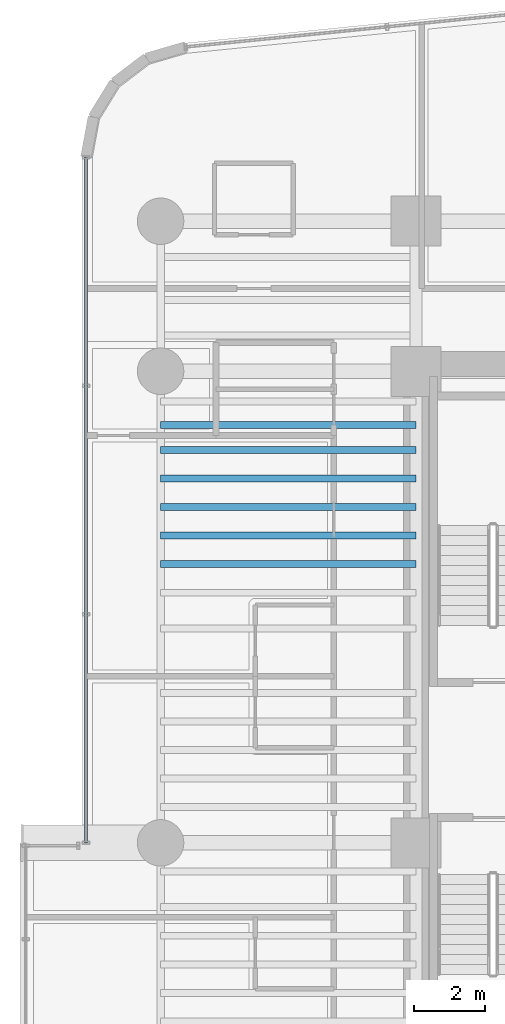
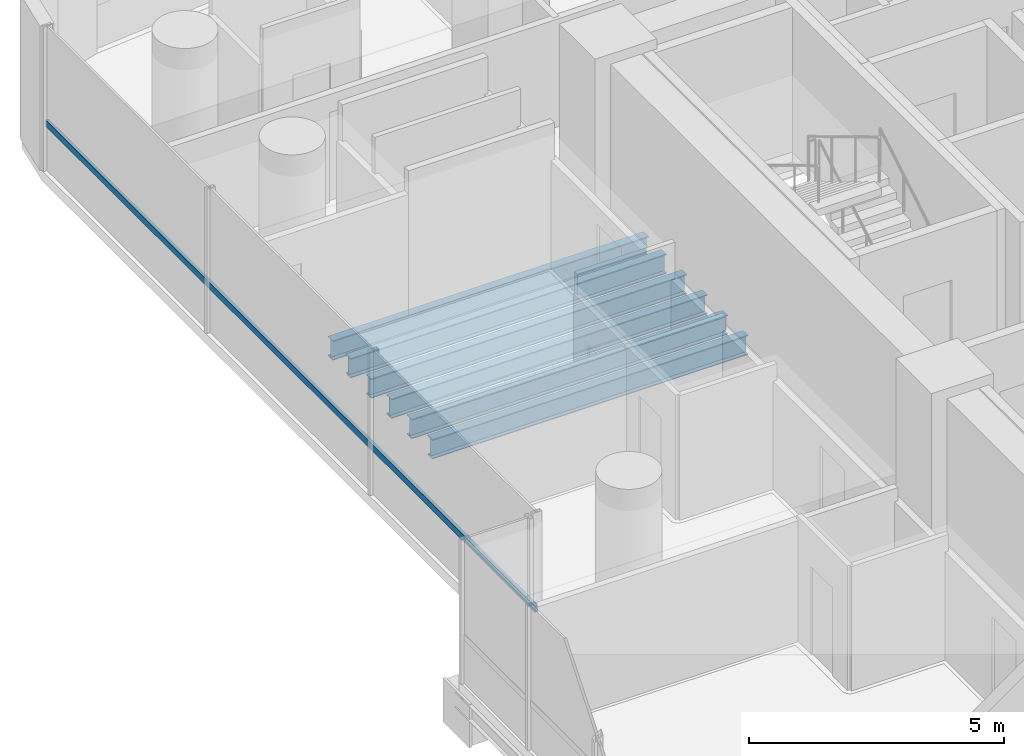
# One storey, part 9 of 42: 6 beams, 1 member, 1 element without a shape of its own.
"""IFC4 building model written with IfcOpenShell, lengths in metres."""

from ifc_helpers import new_model, si_unit, direction, frame, origin, origin_2d, place, context, subcontext, project, spatial, hollow_rectangle, i_section, extrude, source, transform, mapped, material, material_profile, profile_set, type_object, element, aggregate, save


model = new_model("IFC4")

# Units and contexts
model_context = context("Model", 3, precision=1e-05, world=origin(), true_north=direction((0.0, 1.0)))
body_context = subcontext(model_context, "Body", "Model", "MODEL_VIEW")
ifc_project = project(units=[si_unit("LENGTHUNIT", "METRE"), si_unit("AREAUNIT", "SQUARE_METRE"), si_unit("VOLUMEUNIT", "CUBIC_METRE"), si_unit("PLANEANGLEUNIT", "RADIAN"), si_unit("MASSUNIT", "GRAM", prefix="KILO")], contexts=[model_context])

# Site, building, storey
site_placement = place(None, origin())
site = spatial("IfcSite", under=ifc_project, at=site_placement, CompositionType="ELEMENT")
building_placement = place(site_placement, origin())
building = spatial("IfcBuilding", under=site, at=building_placement, Name="Valdorenza Pilgrim Sanctuary Tower", CompositionType="ELEMENT")
storey_placement = place(building_placement, frame((0.0, 0.0, 29.699951171875)))
storey = spatial("IfcBuildingStorey", under=building, at=storey_placement, Name="L06", CompositionType="ELEMENT", Elevation=29.699951171875)

# Beams
ifc_material_1 = material(Name="Steel ASTM A992 Grade 50", Category="steel")
ifc_material_profile_1 = material_profile(ifc_material_1, i_section(OverallWidth=0.193115234375, OverallDepth=0.466064453125, WebThickness=0.011474609375, FlangeThickness=0.01904296875, at=origin_2d()), Name="W18X65")
ifc_profile_set_1 = profile_set([ifc_material_profile_1], Name="Steel ASTM A992 Grade 50")
beam_type = type_object("IfcBeamType", Name="STR-BM-JST-W18A", PredefinedType="JOIST", material=ifc_profile_set_1)
shared_shape_1 = source(origin(), body_context, "Body", "SweptSolid", [
    extrude(i_section(OverallWidth=0.193115234375, OverallDepth=0.466064453125, WebThickness=0.011474609375, FlangeThickness=0.01904296875, at=origin_2d()), origin(), (0.0, 0.0, 1.0), 7.150146484375),
])
for number, where, z_axis, x_axis, name in (
    (1, (-29.800048828125, 5.199951171875, -0.472900390625), (1.0, 0.0, 0.0), (0.0, 1.0, 0.0), "L06 Composite Floor Joist JST-WA-17"),
    (2, (-29.800048828125, 6.0, -0.472900390625), (1.0, 0.0, 0.0), (0.0, 1.0, 0.0), "L06 Composite Floor Joist JST-WA-18"),
    (3, (-29.800048828125, 6.800048828125, -0.472900390625), (1.0, 0.0, 0.0), (0.0, 1.0, 0.0), "L06 Composite Floor Joist JST-WA-19"),
    (4, (-29.800048828125, 7.60009765625, -0.472900390625), (1.0, 0.0, 0.0), (0.0, 1.0, 0.0), "L06 Composite Floor Joist JST-WA-20"),
    (5, (-29.800048828125, 8.39990234375, -0.472900390625), (1.0, 0.0, 0.0), (0.0, 1.0, 0.0), "L06 Composite Floor Joist JST-WA-21"),
    (6, (-29.800048828125, 9.10009765625, -0.472900390625), (1.0, 0.0, 0.0), (0.0, 1.0, 0.0), "L06 Composite Floor Joist JST-WA-22"),
):
    element("IfcBeam", number, at=place(storey_placement, frame(where, z_axis=z_axis, x_axis=x_axis)), inside=storey, type_object=beam_type, Name=name, PredefinedType="JOIST", context=body_context, shape_type="MappedRepresentation", body=[
        mapped(shared_shape_1, transform((0.0, 0.0, 0.0), x_axis=(1.0, 0.0, 0.0), y_axis=(0.0, 1.0, 0.0), z_axis=(0.0, 0.0, 1.0), scale=1.0)),
    ])

# Curtain wall, member
ifc_material_2 = material(Name="Curtain-wall IGU glazing", Category="glass")
curtain_wall_type = type_object("IfcCurtainWallType", Name="CW-SYS-02", PredefinedType="NOTDEFINED", material=ifc_material_2)
curtain_wall_placement = place(storey_placement, origin())
curtain_wall = element("IfcCurtainWall", 7, at=curtain_wall_placement, inside=storey, type_object=curtain_wall_type, Name="L06 Curtain Wall CW-L06-1-1S2", PredefinedType="NOTDEFINED")
ifc_material_3 = material(Name="Anodised aluminium AW-6060", Category="aluminium")
ifc_material_profile_2 = material_profile(ifc_material_3, hollow_rectangle(XDim=0.074951171875, YDim=0.14990234375, WallThickness=0.00390625, at=origin_2d()), Name="ALU-T 150x75x4")
ifc_profile_set_2 = profile_set([ifc_material_profile_2], Name="Anodised aluminium AW-6060")
member_type = type_object("IfcMemberType", Name="CW-TRN-02", PredefinedType="USERDEFINED", material=ifc_profile_set_2)
shared_shape_2 = source(origin(), body_context, "Body", "SweptSolid", [
    extrude(hollow_rectangle(XDim=0.074951171875, YDim=0.14990234375, WallThickness=0.00390625, at=origin_2d()), origin(), (0.0, 0.0, 1.0), 19.194091796875),
])
member_placement = place(storey_placement, frame((-31.889892578125, -2.60009765625, 1.1201171875), z_axis=(0.0, 1.0, 0.0), x_axis=(-1.0, 0.0, 0.0)))
member = element("IfcMember", 8, at=member_placement, type_object=member_type, Name="CW-L06-1-1S2 Transom 1", ObjectType="TRANSOM", PredefinedType="USERDEFINED", context=body_context, shape_type="MappedRepresentation", body=[
    mapped(shared_shape_2, transform((0.0, 0.0, 0.0), x_axis=(1.0, 0.0, 0.0), y_axis=(0.0, 1.0, 0.0), z_axis=(0.0, 0.0, 1.0), scale=1.0)),
])
aggregate(curtain_wall, [member])

save(model, "model.ifc")
